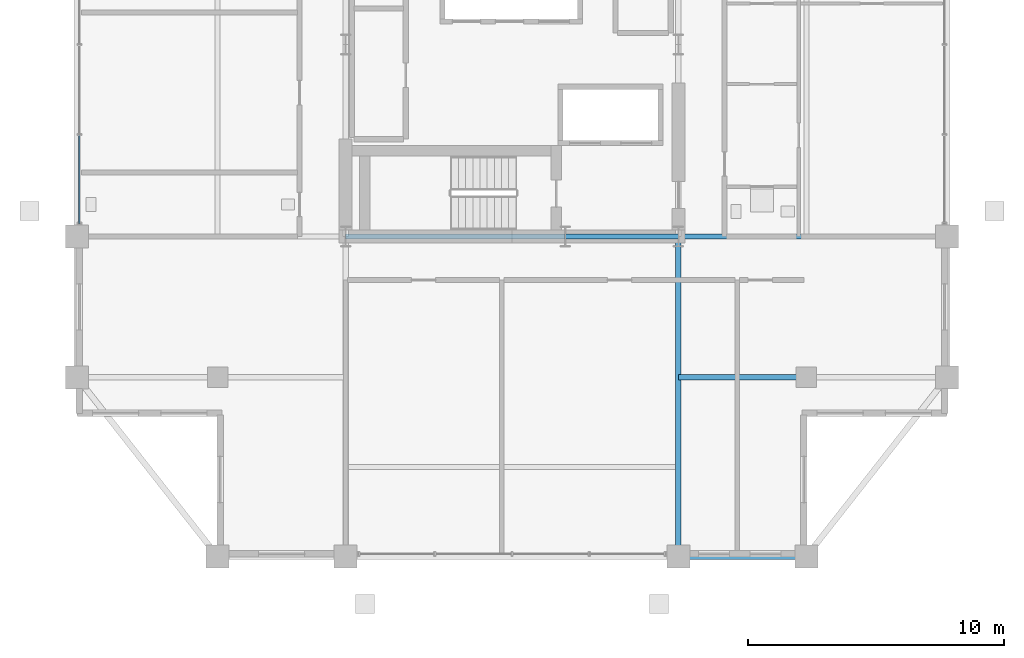
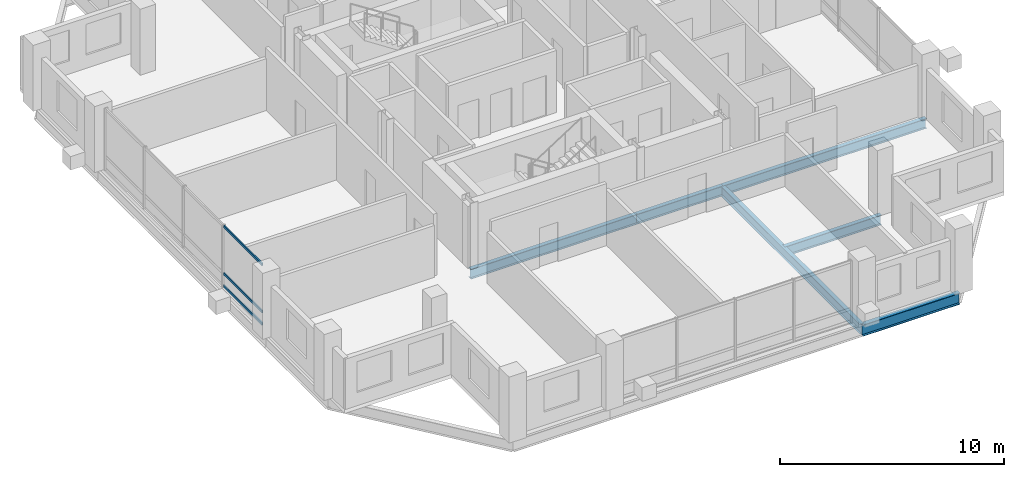
# One storey, part 5 of 21: 6 beams, 3 members, 1 element without a shape of its own.
"""IFC4 building model written with IfcOpenShell, lengths in metres."""

from ifc_helpers import new_model, si_unit, direction, frame, origin, origin_2d, place, context, subcontext, project, spatial, hollow_rectangle, i_section, extrude, material, layer, layer_set, material_profile, profile_set, type_object, element, aggregate, save


model = new_model("IFC4")

# Units and contexts
model_context = context("Model", 3, precision=1e-05, world=origin(), true_north=direction((0.0, 1.0)))
body_context = subcontext(model_context, "Body", "Model", "MODEL_VIEW")
ifc_project = project(units=[si_unit("LENGTHUNIT", "METRE"), si_unit("AREAUNIT", "SQUARE_METRE"), si_unit("VOLUMEUNIT", "CUBIC_METRE"), si_unit("PLANEANGLEUNIT", "RADIAN"), si_unit("MASSUNIT", "GRAM", prefix="KILO")], contexts=[model_context])

# Site, building, storey
site_placement = place(None, origin())
site = spatial("IfcSite", under=ifc_project, at=site_placement, CompositionType="ELEMENT")
building_placement = place(site_placement, origin())
building = spatial("IfcBuilding", under=site, at=building_placement, Name="Barlavira Tower and Art Museum", CompositionType="ELEMENT")
storey_placement = place(building_placement, frame((0.0, 0.0, 276.300048828125)))
storey = spatial("IfcBuildingStorey", under=building, at=storey_placement, Name="L72", CompositionType="ELEMENT", Elevation=276.300048828125)

# Curtain wall, members
ifc_material_1 = material(Name="Low-iron coastal laminated glass", Category="glass")
ifc_layer = layer(ifc_material_1, 0.2099609375, Name="Low-iron coastal laminated glass")
ifc_layer_set = layer_set([ifc_layer], Name="Low-iron coastal laminated glass")
curtain_wall_type = type_object("IfcCurtainWallType", Name="Pale-Metal Unitised Curtain Wall Zone 4", PredefinedType="NOTDEFINED", material=ifc_layer_set)
curtain_wall_placement = place(storey_placement, origin())
curtain_wall = element("IfcCurtainWall", 1, at=curtain_wall_placement, inside=storey, type_object=curtain_wall_type, Name="L72 Curtain Wall CW4-L72-W-B3", PredefinedType="NOTDEFINED")
ifc_material_2 = material(Name="Pale anodised aluminium", Category="aluminium")
ifc_material_profile_1 = material_profile(ifc_material_2, hollow_rectangle(XDim=0.06494140625, YDim=0.139892578125, WallThickness=0.00390625, at=origin_2d()), Name="ALU-TRAN 65x140x4")
ifc_profile_set_1 = profile_set([ifc_material_profile_1], Name="Pale anodised aluminium")
member_type = type_object("IfcMemberType", Name="Curtain Wall Pale-Metal Transom 65x140", PredefinedType="USERDEFINED", material=ifc_profile_set_1)
member_1_placement = place(storey_placement, frame((-16.89990234375, -3.56005859375, 0.070068359375), z_axis=(0.0, -1.0, 0.0), x_axis=(1.0, 0.0, 0.0)))
member_1 = element("IfcMember", 2, at=member_1_placement, type_object=member_type, Name="CW4-L72-W-B3 Transom 3.1", ObjectType="TRANSOM", PredefinedType="USERDEFINED", context=body_context, shape_type="SweptSolid", body=[
    extrude(hollow_rectangle(XDim=0.06494140625, YDim=0.139892578125, WallThickness=0.00390625, at=origin_2d()), origin(), (0.0, 0.0, 1.0), 3.425048828125),
])
member_2_placement = place(storey_placement, frame((-16.89990234375, -3.56005859375, 0.743896484375), z_axis=(0.0, -1.0, 0.0), x_axis=(1.0, 0.0, 0.0)))
member_2 = element("IfcMember", 3, at=member_2_placement, type_object=member_type, Name="CW4-L72-W-B3 Transom 3.2", ObjectType="TRANSOM", PredefinedType="USERDEFINED", context=body_context, shape_type="SweptSolid", body=[
    extrude(hollow_rectangle(XDim=0.06494140625, YDim=0.139892578125, WallThickness=0.00390625, at=origin_2d()), origin(), (0.0, 0.0, 1.0), 3.425048828125),
])
member_3_placement = place(storey_placement, frame((-16.89990234375, -3.56005859375, 3.31005859375), z_axis=(0.0, -1.0, 0.0), x_axis=(1.0, 0.0, 0.0)))
member_3 = element("IfcMember", 4, at=member_3_placement, type_object=member_type, Name="CW4-L72-W-B3 Transom 3.3", ObjectType="TRANSOM", PredefinedType="USERDEFINED", context=body_context, shape_type="SweptSolid", body=[
    extrude(hollow_rectangle(XDim=0.06494140625, YDim=0.139892578125, WallThickness=0.00390625, at=origin_2d()), origin(), (0.0, 0.0, 1.0), 3.425048828125),
])
aggregate(curtain_wall, [member_1, member_2, member_3])

# Beams
ifc_material_3 = material(Name="Steel S355", Category="steel")
ifc_material_profile_2 = material_profile(ifc_material_3, i_section(OverallWidth=0.22998046875, OverallDepth=0.616943359375, WebThickness=0.01318359375, FlangeThickness=0.022216796875, at=origin_2d()), Name="W610x140.0")
ifc_profile_set_2 = profile_set([ifc_material_profile_2], Name="Steel S355")
beam_type_1 = type_object("IfcBeamType", Name="Upper Shaft Spandrel Edge Beam W610x140 Steel S355", PredefinedType="SPANDREL", material=ifc_profile_set_2)
beam_1_placement = place(storey_placement, frame((6.5, -20.0, -0.528564453125), z_axis=(1.0, 0.0, 0.0), x_axis=(0.0, 1.0, 0.0)))
element("IfcBeam", 5, at=beam_1_placement, inside=storey, type_object=beam_type_1, Name="L72 Spandrel 3", PredefinedType="SPANDREL", context=body_context, shape_type="SweptSolid", body=[
    extrude(i_section(OverallWidth=0.22998046875, OverallDepth=0.616943359375, WebThickness=0.01318359375, FlangeThickness=0.022216796875, at=origin_2d()), origin(), (0.0, 0.0, 1.0), 5.0),
])
ifc_material_profile_3 = material_profile(ifc_material_3, i_section(OverallWidth=0.2109375, OverallDepth=0.5390625, WebThickness=0.01171875, FlangeThickness=0.018798828125, at=origin_2d()), Name="W530x109.0")
ifc_profile_set_3 = profile_set([ifc_material_profile_3], Name="Steel S355")
beam_type_2 = type_object("IfcBeamType", Name="Zone 3-4 Primary Floor Girder W530x109 Steel S355", PredefinedType="BEAM", material=ifc_profile_set_3)
beam_2_placement = place(storey_placement, frame((-6.5, -7.5, -0.489501953125), z_axis=(1.0, 0.0, 0.0), x_axis=(0.0, 1.0, 0.0)))
element("IfcBeam", 6, at=beam_2_placement, inside=storey, type_object=beam_type_2, Name="L72 Girder C-S1", PredefinedType="BEAM", context=body_context, shape_type="SweptSolid", body=[
    extrude(i_section(OverallWidth=0.2109375, OverallDepth=0.5390625, WebThickness=0.01171875, FlangeThickness=0.018798828125, at=origin_2d()), origin(), (0.0, 0.0, 1.0), 8.580078125),
])
beam_3_placement = place(storey_placement, frame((2.080078125, -7.5, -0.489501953125), z_axis=(1.0, 0.0, 0.0), x_axis=(0.0, 1.0, 0.0)))
element("IfcBeam", 7, at=beam_3_placement, inside=storey, type_object=beam_type_2, Name="L72 Girder C-S2", PredefinedType="BEAM", context=body_context, shape_type="SweptSolid", body=[
    extrude(i_section(OverallWidth=0.2109375, OverallDepth=0.5390625, WebThickness=0.01171875, FlangeThickness=0.018798828125, at=origin_2d()), origin(), (0.0, 0.0, 1.0), 4.419921875),
])
beam_4_placement = place(storey_placement, frame((6.5, -20.0, -0.489501953125), z_axis=(0.0, 1.0, 0.0), x_axis=(-1.0, 0.0, 0.0)))
element("IfcBeam", 8, at=beam_4_placement, inside=storey, type_object=beam_type_2, Name="L72 Girder R-S2", PredefinedType="BEAM", context=body_context, shape_type="SweptSolid", body=[
    extrude(i_section(OverallWidth=0.2109375, OverallDepth=0.5390625, WebThickness=0.01171875, FlangeThickness=0.018798828125, at=origin_2d()), origin(), (0.0, 0.0, 1.0), 12.5),
])
beam_5_placement = place(storey_placement, frame((6.5, -7.5, -0.489501953125), z_axis=(1.0, 0.0, 0.0), x_axis=(0.0, 1.0, 0.0)))
element("IfcBeam", 9, at=beam_5_placement, inside=storey, type_object=beam_type_2, Name="L72 Girder R-E1", PredefinedType="BEAM", context=body_context, shape_type="SweptSolid", body=[
    extrude(i_section(OverallWidth=0.2109375, OverallDepth=0.5390625, WebThickness=0.01171875, FlangeThickness=0.018798828125, at=origin_2d()), origin(), (0.0, 0.0, 1.0), 10.5),
])
beam_6_placement = place(storey_placement, frame((6.5, -13.0, -0.489501953125), z_axis=(1.0, 0.0, 0.0), x_axis=(0.0, 1.0, 0.0)))
element("IfcBeam", 10, at=beam_6_placement, inside=storey, type_object=beam_type_2, Name="L72 Girder I-S3", PredefinedType="BEAM", context=body_context, shape_type="SweptSolid", body=[
    extrude(i_section(OverallWidth=0.2109375, OverallDepth=0.5390625, WebThickness=0.01171875, FlangeThickness=0.018798828125, at=origin_2d()), origin(), (0.0, 0.0, 1.0), 5.0),
])

save(model, "model.ifc")
